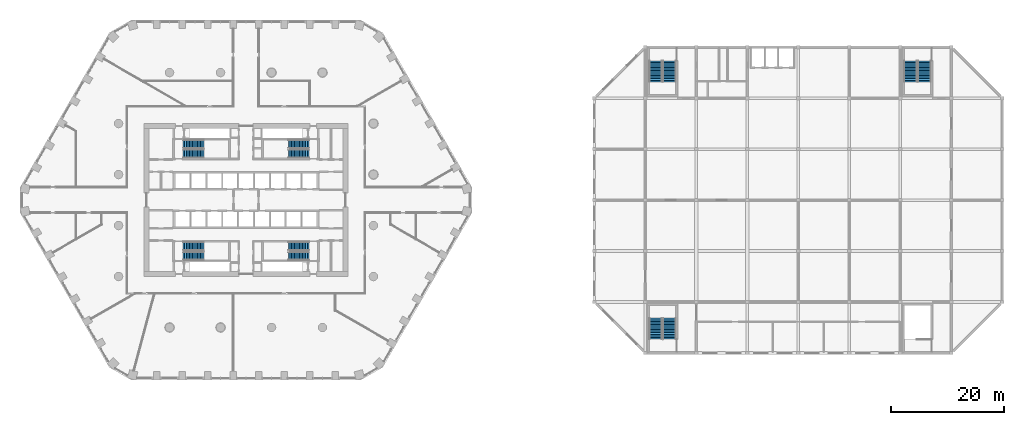
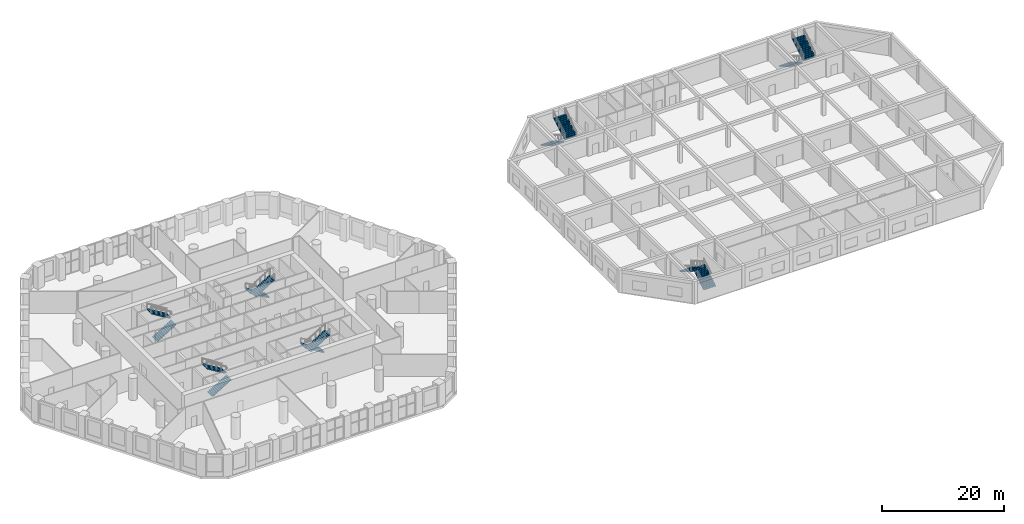
# One storey, part 17 of 26: 14 stair flights, 7 elements without a shape of their own.
"""IFC4 building model written with IfcOpenShell, lengths in metres."""

from ifc_helpers import new_model, si_unit, direction, frame, origin, place, context, subcontext, project, spatial, polyline, outline, extrude, material, type_object, element, aggregate, save


model = new_model("IFC4")

# Units and contexts
model_context = context("Model", 3, precision=1e-05, world=origin(), true_north=direction((0.0, 1.0)))
body_context = subcontext(model_context, "Body", "Model", "MODEL_VIEW")
ifc_project = project(units=[si_unit("LENGTHUNIT", "METRE"), si_unit("AREAUNIT", "SQUARE_METRE"), si_unit("VOLUMEUNIT", "CUBIC_METRE"), si_unit("PLANEANGLEUNIT", "RADIAN"), si_unit("MASSUNIT", "GRAM", prefix="KILO")], contexts=[model_context])

# Site, building, storey
site_placement = place(None, origin())
site = spatial("IfcSite", under=ifc_project, at=site_placement, CompositionType="ELEMENT")
building_placement = place(site_placement, origin())
building = spatial("IfcBuilding", under=site, at=building_placement, Name="Dhurran Vertical Campus", CompositionType="ELEMENT")
storey_placement = place(building_placement, frame((0.0, 0.0, 15.60009765625)))
storey = spatial("IfcBuildingStorey", under=building, at=storey_placement, Name="L03", CompositionType="ELEMENT", Elevation=15.60009765625)

# Stair, stair flights
ifc_material_1 = material(Name="Concrete C40/50", Category="concrete")
stair_type_1 = type_object("IfcStairType", Name="co-ST-CORE", PredefinedType="HALF_TURN_STAIR", material=ifc_material_1)
stair_1_placement = place(storey_placement, origin())
stair_1 = element("IfcStair", 1, at=stair_1_placement, inside=storey, type_object=stair_type_1, Name="L03 Protected exit stair ST1", PredefinedType="HALF_TURN_STAIR")
ifc_material_2 = material(Name="Concrete C40/50", Category="concrete")
stair_flight_type_1 = type_object("IfcStairFlightType", Name="co-SFL-RC", PredefinedType="STRAIGHT", material=ifc_material_2)
stair_flight_1_placement = place(storey_placement, frame((-11.10009765625, 8.175048828125, 0.0), z_axis=(0.0, 0.0, 1.0), x_axis=(1.0, 0.0, 0.0)))
stair_flight_1 = element("IfcStairFlight", 2, at=stair_flight_1_placement, type_object=stair_flight_type_1, Name="ST1 flight 1", NumberOfRisers=14, NumberOfTreads=13, PredefinedType="STRAIGHT", RiserHeight=0.171428571, TreadLength=0.28, context=body_context, shape_type="SweptSolid", body=[
    extrude(outline(polyline([(0.0, 0.0), (0.0, 0.17138671875), (0.280029296875, 0.17138671875), (0.280029296875, 0.3427734375), (0.56005859375, 0.3427734375), (0.56005859375, 0.514404296875), (0.840087890625, 0.514404296875), (0.840087890625, 0.685791015625), (1.1201171875, 0.685791015625), (1.1201171875, 0.857177734375), (1.39990234375, 0.857177734375), (1.39990234375, 1.028564453125), (1.679931640625, 1.028564453125), (1.679931640625, 1.199951171875), (1.9599609375, 1.199951171875), (1.9599609375, 1.371337890625), (2.239990234375, 1.371337890625), (2.239990234375, 1.54296875), (2.52001953125, 1.54296875), (2.52001953125, 1.71435546875), (2.800048828125, 1.71435546875), (2.800048828125, 1.8857421875), (3.080078125, 1.8857421875), (3.080078125, 2.05712890625), (3.360107421875, 2.05712890625), (3.360107421875, 2.228515625), (3.639892578125, 2.228515625), (3.639892578125, 2.39990234375), (3.639892578125, 2.052734375), (0.287109375, 0.0), (0.0, 0.0)])), frame((0.0, 0.77490234375, 0.0), z_axis=(0.0, -1.0, 0.0), x_axis=(1.0, 0.0, 0.0)), (0.0, 0.0, 1.0), 1.550048828125),
])
stair_flight_2_placement = place(storey_placement, frame((-7.4599609375, 9.875, 2.39990234375), z_axis=(0.0, 0.0, 1.0), x_axis=(-1.0, 0.0, 0.0)))
stair_flight_2 = element("IfcStairFlight", 3, at=stair_flight_2_placement, type_object=stair_flight_type_1, Name="ST1 flight 2", NumberOfRisers=14, NumberOfTreads=13, PredefinedType="STRAIGHT", RiserHeight=0.171428571, TreadLength=0.28, context=body_context, shape_type="SweptSolid", body=[
    extrude(outline(polyline([(0.0, 0.0), (0.0, 0.17138671875), (0.280029296875, 0.17138671875), (0.280029296875, 0.3427734375), (0.56005859375, 0.3427734375), (0.56005859375, 0.514404296875), (0.840087890625, 0.514404296875), (0.840087890625, 0.685791015625), (1.1201171875, 0.685791015625), (1.1201171875, 0.857177734375), (1.39990234375, 0.857177734375), (1.39990234375, 1.028564453125), (1.679931640625, 1.028564453125), (1.679931640625, 1.199951171875), (1.9599609375, 1.199951171875), (1.9599609375, 1.371337890625), (2.239990234375, 1.371337890625), (2.239990234375, 1.54296875), (2.52001953125, 1.54296875), (2.52001953125, 1.71435546875), (2.800048828125, 1.71435546875), (2.800048828125, 1.8857421875), (3.080078125, 1.8857421875), (3.080078125, 2.05712890625), (3.360107421875, 2.05712890625), (3.360107421875, 2.228515625), (3.639892578125, 2.228515625), (3.639892578125, 2.39990234375), (3.639892578125, 2.052734375), (0.287109375, 0.0), (0.0, 0.0)])), frame((0.0, 0.77490234375, 0.0), z_axis=(0.0, -1.0, 0.0), x_axis=(1.0, 0.0, 0.0)), (0.0, 0.0, 1.0), 1.550048828125),
])
aggregate(stair_1, [stair_flight_1, stair_flight_2])

stair_2_placement = place(storey_placement, origin())
stair_2 = element("IfcStair", 4, at=stair_2_placement, inside=storey, type_object=stair_type_1, Name="L03 Protected exit stair ST2", PredefinedType="HALF_TURN_STAIR")
stair_flight_3_placement = place(storey_placement, frame((11.10009765625, 9.875, 0.0), z_axis=(0.0, 0.0, 1.0), x_axis=(-1.0, 0.0, 0.0)))
stair_flight_3 = element("IfcStairFlight", 5, at=stair_flight_3_placement, type_object=stair_flight_type_1, Name="ST2 flight 1", NumberOfRisers=14, NumberOfTreads=13, PredefinedType="STRAIGHT", RiserHeight=0.171428571, TreadLength=0.28, context=body_context, shape_type="SweptSolid", body=[
    extrude(outline(polyline([(0.0, 0.0), (0.0, 0.17138671875), (0.280029296875, 0.17138671875), (0.280029296875, 0.3427734375), (0.56005859375, 0.3427734375), (0.56005859375, 0.514404296875), (0.840087890625, 0.514404296875), (0.840087890625, 0.685791015625), (1.1201171875, 0.685791015625), (1.1201171875, 0.857177734375), (1.39990234375, 0.857177734375), (1.39990234375, 1.028564453125), (1.679931640625, 1.028564453125), (1.679931640625, 1.199951171875), (1.9599609375, 1.199951171875), (1.9599609375, 1.371337890625), (2.239990234375, 1.371337890625), (2.239990234375, 1.54296875), (2.52001953125, 1.54296875), (2.52001953125, 1.71435546875), (2.800048828125, 1.71435546875), (2.800048828125, 1.8857421875), (3.080078125, 1.8857421875), (3.080078125, 2.05712890625), (3.360107421875, 2.05712890625), (3.360107421875, 2.228515625), (3.639892578125, 2.228515625), (3.639892578125, 2.39990234375), (3.639892578125, 2.052734375), (0.287109375, 0.0), (0.0, 0.0)])), frame((0.0, 0.77490234375, 0.0), z_axis=(0.0, -1.0, 0.0), x_axis=(1.0, 0.0, 0.0)), (0.0, 0.0, 1.0), 1.550048828125),
])
stair_flight_4_placement = place(storey_placement, frame((7.4599609375, 8.175048828125, 2.39990234375), z_axis=(0.0, 0.0, 1.0), x_axis=(1.0, 0.0, 0.0)))
stair_flight_4 = element("IfcStairFlight", 6, at=stair_flight_4_placement, type_object=stair_flight_type_1, Name="ST2 flight 2", NumberOfRisers=14, NumberOfTreads=13, PredefinedType="STRAIGHT", RiserHeight=0.171428571, TreadLength=0.28, context=body_context, shape_type="SweptSolid", body=[
    extrude(outline(polyline([(0.0, 0.0), (0.0, 0.17138671875), (0.280029296875, 0.17138671875), (0.280029296875, 0.3427734375), (0.56005859375, 0.3427734375), (0.56005859375, 0.514404296875), (0.840087890625, 0.514404296875), (0.840087890625, 0.685791015625), (1.1201171875, 0.685791015625), (1.1201171875, 0.857177734375), (1.39990234375, 0.857177734375), (1.39990234375, 1.028564453125), (1.679931640625, 1.028564453125), (1.679931640625, 1.199951171875), (1.9599609375, 1.199951171875), (1.9599609375, 1.371337890625), (2.239990234375, 1.371337890625), (2.239990234375, 1.54296875), (2.52001953125, 1.54296875), (2.52001953125, 1.71435546875), (2.800048828125, 1.71435546875), (2.800048828125, 1.8857421875), (3.080078125, 1.8857421875), (3.080078125, 2.05712890625), (3.360107421875, 2.05712890625), (3.360107421875, 2.228515625), (3.639892578125, 2.228515625), (3.639892578125, 2.39990234375), (3.639892578125, 2.052734375), (0.287109375, 0.0), (0.0, 0.0)])), frame((0.0, 0.77490234375, 0.0), z_axis=(0.0, -1.0, 0.0), x_axis=(1.0, 0.0, 0.0)), (0.0, 0.0, 1.0), 1.550048828125),
])
aggregate(stair_2, [stair_flight_3, stair_flight_4])

stair_3_placement = place(storey_placement, origin())
stair_3 = element("IfcStair", 7, at=stair_3_placement, inside=storey, type_object=stair_type_1, Name="L03 Protected exit stair ST3", PredefinedType="HALF_TURN_STAIR")
stair_flight_5_placement = place(storey_placement, frame((-11.10009765625, -9.875, 0.0), z_axis=(0.0, 0.0, 1.0), x_axis=(1.0, 0.0, 0.0)))
stair_flight_5 = element("IfcStairFlight", 8, at=stair_flight_5_placement, type_object=stair_flight_type_1, Name="ST3 flight 1", NumberOfRisers=14, NumberOfTreads=13, PredefinedType="STRAIGHT", RiserHeight=0.171428571, TreadLength=0.28, context=body_context, shape_type="SweptSolid", body=[
    extrude(outline(polyline([(0.0, 0.0), (0.0, 0.17138671875), (0.280029296875, 0.17138671875), (0.280029296875, 0.3427734375), (0.56005859375, 0.3427734375), (0.56005859375, 0.514404296875), (0.840087890625, 0.514404296875), (0.840087890625, 0.685791015625), (1.1201171875, 0.685791015625), (1.1201171875, 0.857177734375), (1.39990234375, 0.857177734375), (1.39990234375, 1.028564453125), (1.679931640625, 1.028564453125), (1.679931640625, 1.199951171875), (1.9599609375, 1.199951171875), (1.9599609375, 1.371337890625), (2.239990234375, 1.371337890625), (2.239990234375, 1.54296875), (2.52001953125, 1.54296875), (2.52001953125, 1.71435546875), (2.800048828125, 1.71435546875), (2.800048828125, 1.8857421875), (3.080078125, 1.8857421875), (3.080078125, 2.05712890625), (3.360107421875, 2.05712890625), (3.360107421875, 2.228515625), (3.639892578125, 2.228515625), (3.639892578125, 2.39990234375), (3.639892578125, 2.052734375), (0.287109375, 0.0), (0.0, 0.0)])), frame((0.0, 0.77490234375, 0.0), z_axis=(0.0, -1.0, 0.0), x_axis=(1.0, 0.0, 0.0)), (0.0, 0.0, 1.0), 1.550048828125),
])
stair_flight_6_placement = place(storey_placement, frame((-7.4599609375, -8.175048828125, 2.39990234375), z_axis=(0.0, 0.0, 1.0), x_axis=(-1.0, 0.0, 0.0)))
stair_flight_6 = element("IfcStairFlight", 9, at=stair_flight_6_placement, type_object=stair_flight_type_1, Name="ST3 flight 2", NumberOfRisers=14, NumberOfTreads=13, PredefinedType="STRAIGHT", RiserHeight=0.171428571, TreadLength=0.28, context=body_context, shape_type="SweptSolid", body=[
    extrude(outline(polyline([(0.0, 0.0), (0.0, 0.17138671875), (0.280029296875, 0.17138671875), (0.280029296875, 0.3427734375), (0.56005859375, 0.3427734375), (0.56005859375, 0.514404296875), (0.840087890625, 0.514404296875), (0.840087890625, 0.685791015625), (1.1201171875, 0.685791015625), (1.1201171875, 0.857177734375), (1.39990234375, 0.857177734375), (1.39990234375, 1.028564453125), (1.679931640625, 1.028564453125), (1.679931640625, 1.199951171875), (1.9599609375, 1.199951171875), (1.9599609375, 1.371337890625), (2.239990234375, 1.371337890625), (2.239990234375, 1.54296875), (2.52001953125, 1.54296875), (2.52001953125, 1.71435546875), (2.800048828125, 1.71435546875), (2.800048828125, 1.8857421875), (3.080078125, 1.8857421875), (3.080078125, 2.05712890625), (3.360107421875, 2.05712890625), (3.360107421875, 2.228515625), (3.639892578125, 2.228515625), (3.639892578125, 2.39990234375), (3.639892578125, 2.052734375), (0.287109375, 0.0), (0.0, 0.0)])), frame((0.0, 0.77490234375, 0.0), z_axis=(0.0, -1.0, 0.0), x_axis=(1.0, 0.0, 0.0)), (0.0, 0.0, 1.0), 1.550048828125),
])
aggregate(stair_3, [stair_flight_5, stair_flight_6])

stair_4_placement = place(storey_placement, origin())
stair_4 = element("IfcStair", 10, at=stair_4_placement, inside=storey, type_object=stair_type_1, Name="L03 Protected exit stair ST4", PredefinedType="HALF_TURN_STAIR")
stair_flight_7_placement = place(storey_placement, frame((11.10009765625, -8.175048828125, 0.0), z_axis=(0.0, 0.0, 1.0), x_axis=(-1.0, 0.0, 0.0)))
stair_flight_7 = element("IfcStairFlight", 11, at=stair_flight_7_placement, type_object=stair_flight_type_1, Name="ST4 flight 1", NumberOfRisers=14, NumberOfTreads=13, PredefinedType="STRAIGHT", RiserHeight=0.171428571, TreadLength=0.28, context=body_context, shape_type="SweptSolid", body=[
    extrude(outline(polyline([(0.0, 0.0), (0.0, 0.17138671875), (0.280029296875, 0.17138671875), (0.280029296875, 0.3427734375), (0.56005859375, 0.3427734375), (0.56005859375, 0.514404296875), (0.840087890625, 0.514404296875), (0.840087890625, 0.685791015625), (1.1201171875, 0.685791015625), (1.1201171875, 0.857177734375), (1.39990234375, 0.857177734375), (1.39990234375, 1.028564453125), (1.679931640625, 1.028564453125), (1.679931640625, 1.199951171875), (1.9599609375, 1.199951171875), (1.9599609375, 1.371337890625), (2.239990234375, 1.371337890625), (2.239990234375, 1.54296875), (2.52001953125, 1.54296875), (2.52001953125, 1.71435546875), (2.800048828125, 1.71435546875), (2.800048828125, 1.8857421875), (3.080078125, 1.8857421875), (3.080078125, 2.05712890625), (3.360107421875, 2.05712890625), (3.360107421875, 2.228515625), (3.639892578125, 2.228515625), (3.639892578125, 2.39990234375), (3.639892578125, 2.052734375), (0.287109375, 0.0), (0.0, 0.0)])), frame((0.0, 0.77490234375, 0.0), z_axis=(0.0, -1.0, 0.0), x_axis=(1.0, 0.0, 0.0)), (0.0, 0.0, 1.0), 1.550048828125),
])
stair_flight_8_placement = place(storey_placement, frame((7.4599609375, -9.875, 2.39990234375), z_axis=(0.0, 0.0, 1.0), x_axis=(1.0, 0.0, 0.0)))
stair_flight_8 = element("IfcStairFlight", 12, at=stair_flight_8_placement, type_object=stair_flight_type_1, Name="ST4 flight 2", NumberOfRisers=14, NumberOfTreads=13, PredefinedType="STRAIGHT", RiserHeight=0.171428571, TreadLength=0.28, context=body_context, shape_type="SweptSolid", body=[
    extrude(outline(polyline([(0.0, 0.0), (0.0, 0.17138671875), (0.280029296875, 0.17138671875), (0.280029296875, 0.3427734375), (0.56005859375, 0.3427734375), (0.56005859375, 0.514404296875), (0.840087890625, 0.514404296875), (0.840087890625, 0.685791015625), (1.1201171875, 0.685791015625), (1.1201171875, 0.857177734375), (1.39990234375, 0.857177734375), (1.39990234375, 1.028564453125), (1.679931640625, 1.028564453125), (1.679931640625, 1.199951171875), (1.9599609375, 1.199951171875), (1.9599609375, 1.371337890625), (2.239990234375, 1.371337890625), (2.239990234375, 1.54296875), (2.52001953125, 1.54296875), (2.52001953125, 1.71435546875), (2.800048828125, 1.71435546875), (2.800048828125, 1.8857421875), (3.080078125, 1.8857421875), (3.080078125, 2.05712890625), (3.360107421875, 2.05712890625), (3.360107421875, 2.228515625), (3.639892578125, 2.228515625), (3.639892578125, 2.39990234375), (3.639892578125, 2.052734375), (0.287109375, 0.0), (0.0, 0.0)])), frame((0.0, 0.77490234375, 0.0), z_axis=(0.0, -1.0, 0.0), x_axis=(1.0, 0.0, 0.0)), (0.0, 0.0, 1.0), 1.550048828125),
])
aggregate(stair_4, [stair_flight_7, stair_flight_8])

ifc_material_3 = material(Name="Concrete C40/50", Category="concrete")
stair_type_2 = type_object("IfcStairType", Name="hl-exit stair dog-leg", PredefinedType="HALF_TURN_STAIR", material=ifc_material_3)
stair_5_placement = place(storey_placement, origin())
stair_5 = element("IfcStair", 13, at=stair_5_placement, inside=storey, type_object=stair_type_2, Name="L03 Exit stair HST1", PredefinedType="HALF_TURN_STAIR")
ifc_material_4 = material(Name="Concrete C40/50", Category="concrete")
stair_flight_type_2 = type_object("IfcStairFlightType", Name="hl-stair flight", PredefinedType="STRAIGHT", material=ifc_material_4)
stair_flight_9_placement = place(storey_placement, frame((74.75, -24.550048828125, 0.0), z_axis=(0.0, 0.0, 1.0), x_axis=(0.0, 1.0, 0.0)))
stair_flight_9 = element("IfcStairFlight", 14, at=stair_flight_9_placement, type_object=stair_flight_type_2, Name="HST1 flight 1", NumberOfRisers=14, NumberOfTreads=13, PredefinedType="STRAIGHT", RiserHeight=0.171428571, TreadLength=0.284, context=body_context, shape_type="SweptSolid", body=[
    extrude(outline(polyline([(0.0, 0.0), (0.0, 0.17138671875), (0.283935546875, 0.17138671875), (0.283935546875, 0.3427734375), (0.568115234375, 0.3427734375), (0.568115234375, 0.514404296875), (0.85205078125, 0.514404296875), (0.85205078125, 0.685791015625), (1.135986328125, 0.685791015625), (1.135986328125, 0.857177734375), (1.419921875, 0.857177734375), (1.419921875, 1.028564453125), (1.7041015625, 1.028564453125), (1.7041015625, 1.199951171875), (1.988037109375, 1.199951171875), (1.988037109375, 1.371337890625), (2.27197265625, 1.371337890625), (2.27197265625, 1.54296875), (2.555908203125, 1.54296875), (2.555908203125, 1.71435546875), (2.840087890625, 1.71435546875), (2.840087890625, 1.8857421875), (3.1240234375, 1.8857421875), (3.1240234375, 2.05712890625), (3.407958984375, 2.05712890625), (3.407958984375, 2.228515625), (3.69189453125, 2.228515625), (3.69189453125, 2.39990234375), (3.69189453125, 2.053466796875), (0.2900390625, 0.0), (0.0, 0.0)])), frame((0.0, 1.14990234375, 0.0), z_axis=(0.0, -1.0, 0.0), x_axis=(1.0, 0.0, 0.0)), (0.0, 0.0, 1.0), 2.300048828125),
])
stair_flight_10_placement = place(storey_placement, frame((72.300048828125, -20.85791015625, 2.39990234375), z_axis=(0.0, 0.0, 1.0), x_axis=(0.0, -1.0, 0.0)))
stair_flight_10 = element("IfcStairFlight", 15, at=stair_flight_10_placement, type_object=stair_flight_type_2, Name="HST1 flight 2", NumberOfRisers=14, NumberOfTreads=13, PredefinedType="STRAIGHT", RiserHeight=0.171428571, TreadLength=0.284, context=body_context, shape_type="SweptSolid", body=[
    extrude(outline(polyline([(0.0, 0.0), (0.0, 0.17138671875), (0.283935546875, 0.17138671875), (0.283935546875, 0.3427734375), (0.568115234375, 0.3427734375), (0.568115234375, 0.514404296875), (0.85205078125, 0.514404296875), (0.85205078125, 0.685791015625), (1.135986328125, 0.685791015625), (1.135986328125, 0.857177734375), (1.419921875, 0.857177734375), (1.419921875, 1.028564453125), (1.7041015625, 1.028564453125), (1.7041015625, 1.199951171875), (1.988037109375, 1.199951171875), (1.988037109375, 1.371337890625), (2.27197265625, 1.371337890625), (2.27197265625, 1.54296875), (2.555908203125, 1.54296875), (2.555908203125, 1.71435546875), (2.840087890625, 1.71435546875), (2.840087890625, 1.8857421875), (3.1240234375, 1.8857421875), (3.1240234375, 2.05712890625), (3.407958984375, 2.05712890625), (3.407958984375, 2.228515625), (3.69189453125, 2.228515625), (3.69189453125, 2.39990234375), (3.69189453125, 2.053466796875), (0.2900390625, 0.0), (0.0, 0.0)])), frame((0.0, 1.14990234375, 0.0), z_axis=(0.0, -1.0, 0.0), x_axis=(1.0, 0.0, 0.0)), (0.0, 0.0, 1.0), 2.300048828125),
])
aggregate(stair_5, [stair_flight_9, stair_flight_10])

stair_6_placement = place(storey_placement, origin())
stair_6 = element("IfcStair", 16, at=stair_6_placement, inside=storey, type_object=stair_type_2, Name="L03 Exit stair HST2", PredefinedType="HALF_TURN_STAIR")
stair_flight_11_placement = place(storey_placement, frame((117.300048828125, 24.550048828125, 0.0), z_axis=(0.0, 0.0, 1.0), x_axis=(0.0, -1.0, 0.0)))
stair_flight_11 = element("IfcStairFlight", 17, at=stair_flight_11_placement, type_object=stair_flight_type_2, Name="HST2 flight 1", NumberOfRisers=14, NumberOfTreads=13, PredefinedType="STRAIGHT", RiserHeight=0.171428571, TreadLength=0.284, context=body_context, shape_type="SweptSolid", body=[
    extrude(outline(polyline([(0.0, 0.0), (0.0, 0.17138671875), (0.283935546875, 0.17138671875), (0.283935546875, 0.3427734375), (0.568115234375, 0.3427734375), (0.568115234375, 0.514404296875), (0.85205078125, 0.514404296875), (0.85205078125, 0.685791015625), (1.135986328125, 0.685791015625), (1.135986328125, 0.857177734375), (1.419921875, 0.857177734375), (1.419921875, 1.028564453125), (1.7041015625, 1.028564453125), (1.7041015625, 1.199951171875), (1.988037109375, 1.199951171875), (1.988037109375, 1.371337890625), (2.27197265625, 1.371337890625), (2.27197265625, 1.54296875), (2.555908203125, 1.54296875), (2.555908203125, 1.71435546875), (2.840087890625, 1.71435546875), (2.840087890625, 1.8857421875), (3.1240234375, 1.8857421875), (3.1240234375, 2.05712890625), (3.407958984375, 2.05712890625), (3.407958984375, 2.228515625), (3.69189453125, 2.228515625), (3.69189453125, 2.39990234375), (3.69189453125, 2.053466796875), (0.2900390625, 0.0), (0.0, 0.0)])), frame((0.0, 1.14990234375, 0.0), z_axis=(0.0, -1.0, 0.0), x_axis=(1.0, 0.0, 0.0)), (0.0, 0.0, 1.0), 2.300048828125),
])
stair_flight_12_placement = place(storey_placement, frame((119.75, 20.85791015625, 2.39990234375), z_axis=(0.0, 0.0, 1.0), x_axis=(0.0, 1.0, 0.0)))
stair_flight_12 = element("IfcStairFlight", 18, at=stair_flight_12_placement, type_object=stair_flight_type_2, Name="HST2 flight 2", NumberOfRisers=14, NumberOfTreads=13, PredefinedType="STRAIGHT", RiserHeight=0.171428571, TreadLength=0.284, context=body_context, shape_type="SweptSolid", body=[
    extrude(outline(polyline([(0.0, 0.0), (0.0, 0.17138671875), (0.283935546875, 0.17138671875), (0.283935546875, 0.3427734375), (0.568115234375, 0.3427734375), (0.568115234375, 0.514404296875), (0.85205078125, 0.514404296875), (0.85205078125, 0.685791015625), (1.135986328125, 0.685791015625), (1.135986328125, 0.857177734375), (1.419921875, 0.857177734375), (1.419921875, 1.028564453125), (1.7041015625, 1.028564453125), (1.7041015625, 1.199951171875), (1.988037109375, 1.199951171875), (1.988037109375, 1.371337890625), (2.27197265625, 1.371337890625), (2.27197265625, 1.54296875), (2.555908203125, 1.54296875), (2.555908203125, 1.71435546875), (2.840087890625, 1.71435546875), (2.840087890625, 1.8857421875), (3.1240234375, 1.8857421875), (3.1240234375, 2.05712890625), (3.407958984375, 2.05712890625), (3.407958984375, 2.228515625), (3.69189453125, 2.228515625), (3.69189453125, 2.39990234375), (3.69189453125, 2.053466796875), (0.2900390625, 0.0), (0.0, 0.0)])), frame((0.0, 1.14990234375, 0.0), z_axis=(0.0, -1.0, 0.0), x_axis=(1.0, 0.0, 0.0)), (0.0, 0.0, 1.0), 2.300048828125),
])
aggregate(stair_6, [stair_flight_11, stair_flight_12])

stair_7_placement = place(storey_placement, origin())
stair_7 = element("IfcStair", 19, at=stair_7_placement, inside=storey, type_object=stair_type_2, Name="L03 Exit stair HST3", PredefinedType="HALF_TURN_STAIR")
stair_flight_13_placement = place(storey_placement, frame((72.300048828125, 24.550048828125, 0.0), z_axis=(0.0, 0.0, 1.0), x_axis=(0.0, -1.0, 0.0)))
stair_flight_13 = element("IfcStairFlight", 20, at=stair_flight_13_placement, type_object=stair_flight_type_2, Name="HST3 flight 1", NumberOfRisers=14, NumberOfTreads=13, PredefinedType="STRAIGHT", RiserHeight=0.171428571, TreadLength=0.284, context=body_context, shape_type="SweptSolid", body=[
    extrude(outline(polyline([(0.0, 0.0), (0.0, 0.17138671875), (0.283935546875, 0.17138671875), (0.283935546875, 0.3427734375), (0.568115234375, 0.3427734375), (0.568115234375, 0.514404296875), (0.85205078125, 0.514404296875), (0.85205078125, 0.685791015625), (1.135986328125, 0.685791015625), (1.135986328125, 0.857177734375), (1.419921875, 0.857177734375), (1.419921875, 1.028564453125), (1.7041015625, 1.028564453125), (1.7041015625, 1.199951171875), (1.988037109375, 1.199951171875), (1.988037109375, 1.371337890625), (2.27197265625, 1.371337890625), (2.27197265625, 1.54296875), (2.555908203125, 1.54296875), (2.555908203125, 1.71435546875), (2.840087890625, 1.71435546875), (2.840087890625, 1.8857421875), (3.1240234375, 1.8857421875), (3.1240234375, 2.05712890625), (3.407958984375, 2.05712890625), (3.407958984375, 2.228515625), (3.69189453125, 2.228515625), (3.69189453125, 2.39990234375), (3.69189453125, 2.053466796875), (0.2900390625, 0.0), (0.0, 0.0)])), frame((0.0, 1.14990234375, 0.0), z_axis=(0.0, -1.0, 0.0), x_axis=(1.0, 0.0, 0.0)), (0.0, 0.0, 1.0), 2.300048828125),
])
stair_flight_14_placement = place(storey_placement, frame((74.75, 20.85791015625, 2.39990234375), z_axis=(0.0, 0.0, 1.0), x_axis=(0.0, 1.0, 0.0)))
stair_flight_14 = element("IfcStairFlight", 21, at=stair_flight_14_placement, type_object=stair_flight_type_2, Name="HST3 flight 2", NumberOfRisers=14, NumberOfTreads=13, PredefinedType="STRAIGHT", RiserHeight=0.171428571, TreadLength=0.284, context=body_context, shape_type="SweptSolid", body=[
    extrude(outline(polyline([(0.0, 0.0), (0.0, 0.17138671875), (0.283935546875, 0.17138671875), (0.283935546875, 0.3427734375), (0.568115234375, 0.3427734375), (0.568115234375, 0.514404296875), (0.85205078125, 0.514404296875), (0.85205078125, 0.685791015625), (1.135986328125, 0.685791015625), (1.135986328125, 0.857177734375), (1.419921875, 0.857177734375), (1.419921875, 1.028564453125), (1.7041015625, 1.028564453125), (1.7041015625, 1.199951171875), (1.988037109375, 1.199951171875), (1.988037109375, 1.371337890625), (2.27197265625, 1.371337890625), (2.27197265625, 1.54296875), (2.555908203125, 1.54296875), (2.555908203125, 1.71435546875), (2.840087890625, 1.71435546875), (2.840087890625, 1.8857421875), (3.1240234375, 1.8857421875), (3.1240234375, 2.05712890625), (3.407958984375, 2.05712890625), (3.407958984375, 2.228515625), (3.69189453125, 2.228515625), (3.69189453125, 2.39990234375), (3.69189453125, 2.053466796875), (0.2900390625, 0.0), (0.0, 0.0)])), frame((0.0, 1.14990234375, 0.0), z_axis=(0.0, -1.0, 0.0), x_axis=(1.0, 0.0, 0.0)), (0.0, 0.0, 1.0), 2.300048828125),
])
aggregate(stair_7, [stair_flight_13, stair_flight_14])

save(model, "model.ifc")
